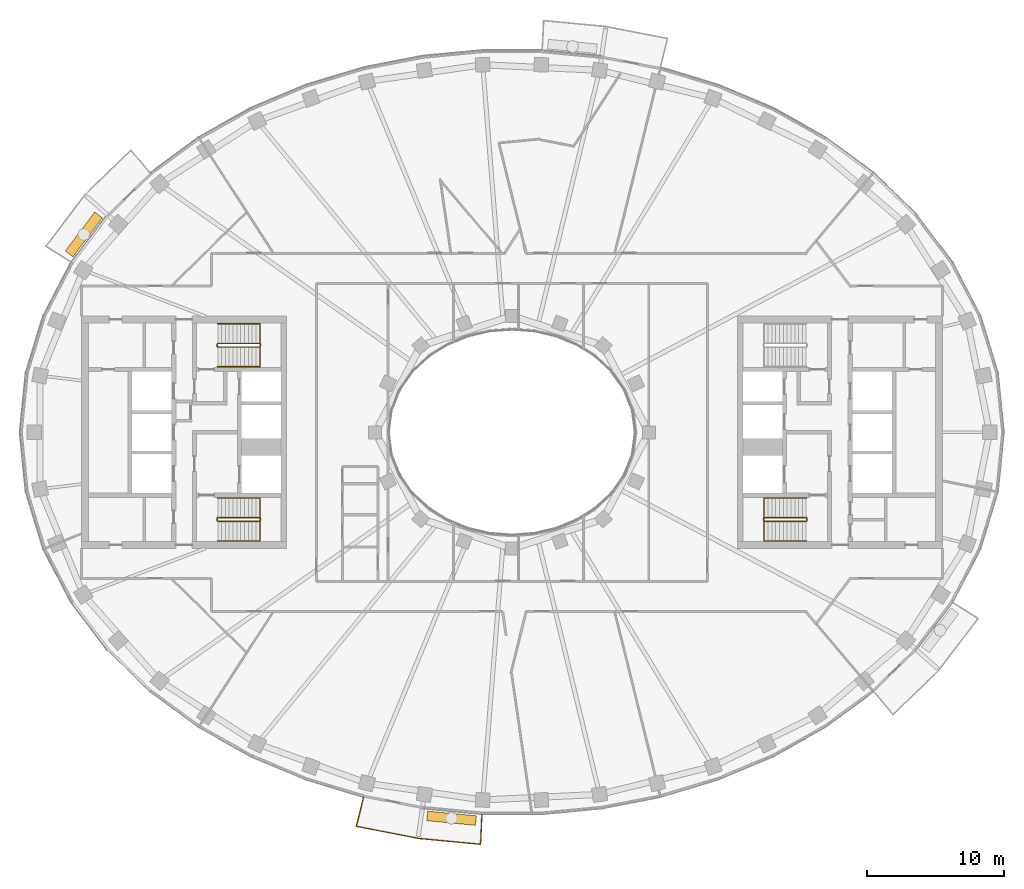
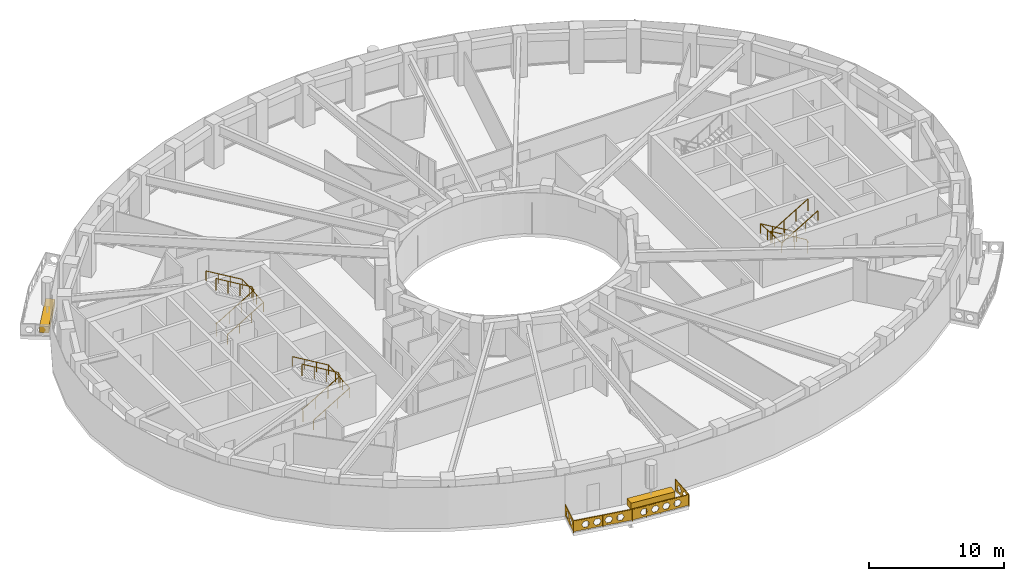
# One storey, part 14 of 16: 7 railings, 2 coverings.
"""IFC4 building model written with IfcOpenShell, lengths in metres."""

import ifcopenshell
import ifcopenshell.guid

model = None  # the IFC model being written
_history = None  # IfcOwnerHistory: only IFC2X3 demands one
_inside = {}  # id of a spatial element -> (the spatial element, [elements in it])
_under = {}  # id of a project, library or spatial element -> (it, [spatial elements below it])
_declared = {}  # id of a project -> (the project, [libraries it declares])
_typed = {}  # id of a type object -> (the type object, [elements of that type])
_made_of = {}  # id of a material, layer set ... -> (it, [elements and type objects made of it])


def new_model(schema):
    """Start an empty IFC model of exactly this schema.

    Asked for "IFC4X3", IfcOpenShell would pick the latest addendum, in which some entities
    have other attributes; the version numbers below select the first issue.
    IFC2X3 requires an IfcOwnerHistory on every rooted entity: one is made here for all.
    """
    global model, _history
    if schema == "IFC4X3":
        model = ifcopenshell.file(schema_version=(4, 3, 0, 0))
    else:
        model = ifcopenshell.file(schema=schema)
    _inside.clear()
    _under.clear()
    _declared.clear()
    _typed.clear()
    _made_of.clear()
    _history = None
    if model.schema == "IFC2X3":
        org = make("IfcOrganization", Name="unknown")
        user = make(
            "IfcPersonAndOrganization",
            ThePerson=make("IfcPerson", FamilyName="unknown"),
            TheOrganization=org,
        )
        app = make(
            "IfcApplication",
            ApplicationDeveloper=org,
            Version="unknown",
            ApplicationFullName="unknown",
            ApplicationIdentifier="unknown",
        )
        _history = make(
            "IfcOwnerHistory",
            OwningUser=user,
            OwningApplication=app,
            ChangeAction="ADDED",
            CreationDate=0,
        )
    return model


def make(cls, **values):
    """One entity of the class cls with the attributes given. An attribute that is None is left unset."""
    return model.create_entity(
        cls, **{name: value for name, value in values.items() if value is not None}
    )


def rooted(cls, **values):
    """An entity with a GlobalId (a new one), such as an element, a storey or a relation."""
    return make(cls, GlobalId=ifcopenshell.guid.new(), OwnerHistory=_history, **values)


def si_unit(unit_type, name, prefix=None):
    """IfcSIUnit, for example si_unit("LENGTHUNIT", "METRE", prefix="MILLI")."""
    return make("IfcSIUnit", UnitType=unit_type, Prefix=prefix, Name=name)


def assignment(units):
    """IfcUnitAssignment: the units of a project."""
    return None if units is None else make("IfcUnitAssignment", Units=units)


def point(xyz):
    """IfcCartesianPoint."""
    return None if xyz is None else make("IfcCartesianPoint", Coordinates=xyz)


def direction(xyz):
    """IfcDirection."""
    return None if xyz is None else make("IfcDirection", DirectionRatios=xyz)


def frame(location, z_axis=None, x_axis=None):
    """IfcAxis2Placement3D, a coordinate frame: its origin and axes. An axis left out is left unset."""
    return make(
        "IfcAxis2Placement3D",
        Location=point(location),
        Axis=direction(z_axis),
        RefDirection=direction(x_axis),
    )


def frame_2d(location, x_axis=None):
    """IfcAxis2Placement2D, a coordinate frame in the plane: its origin and x axis."""
    return make(
        "IfcAxis2Placement2D", Location=point(location), RefDirection=direction(x_axis)
    )


def origin():
    """The frame at (0, 0, 0) with its axes left unset."""
    return frame((0.0, 0.0, 0.0))


def origin_2d():
    """The frame at (0, 0) in the plane with its x axis left unset."""
    return frame_2d((0.0, 0.0))


def place(relative_to, where):
    """IfcLocalPlacement: puts the frame where relative to a parent placement (None: the world)."""
    return make(
        "IfcLocalPlacement", PlacementRelTo=relative_to, RelativePlacement=where
    )


def context(
    kind, dimensions, precision=None, world=None, true_north=None, identifier=None
):
    """IfcGeometricRepresentationContext, for example the 3D "Model" context."""
    return make(
        "IfcGeometricRepresentationContext",
        ContextIdentifier=identifier,
        ContextType=kind,
        CoordinateSpaceDimension=dimensions,
        Precision=precision,
        WorldCoordinateSystem=world,
        TrueNorth=true_north,
    )


def subcontext(parent, identifier, kind, view, scale=None):
    """IfcGeometricRepresentationSubContext, for example "Body" below "Model"."""
    return make(
        "IfcGeometricRepresentationSubContext",
        ContextIdentifier=identifier,
        ContextType=kind,
        ParentContext=parent,
        TargetScale=scale,
        TargetView=view,
    )


def project(units=None, contexts=None):
    """IfcProject with its units and contexts."""
    return rooted(
        "IfcProject",
        Name="project",
        RepresentationContexts=contexts,
        UnitsInContext=assignment(units),
    )


def spatial(cls, under=None, at=None, **own):
    """A site, building, storey or space (cls), placed at a placement, below another one or the project."""
    s = rooted(cls, ObjectPlacement=at, **own)
    if under is not None:
        _under.setdefault(under.id(), (under, []))[1].append(s)
    return s


def polyline(points):
    """IfcPolyline through the points."""
    return make("IfcPolyline", Points=[point(p) for p in points])


def profile(cls, at=None, kind="AREA", **sizes):
    """A parametric profile (cls). Its sizes go by their IFC names, for example OverallWidth=200.0."""
    return make(cls, ProfileType=kind, Position=at, **sizes)


def rectangle(**sizes):
    """IfcRectangleProfileDef."""
    return profile("IfcRectangleProfileDef", **sizes)


def outline(outer, holes=None, kind="AREA"):
    """IfcArbitraryClosedProfileDef: a profile drawn as a closed curve; with holes, ...WithVoids."""
    if holes is None:
        return make("IfcArbitraryClosedProfileDef", ProfileType=kind, OuterCurve=outer)
    return make(
        "IfcArbitraryProfileDefWithVoids",
        ProfileType=kind,
        OuterCurve=outer,
        InnerCurves=holes,
    )


def extrude(swept, where, along, depth):
    """IfcExtrudedAreaSolid: the profile swept, set in the frame where, extruded along a direction by depth."""
    return make(
        "IfcExtrudedAreaSolid",
        SweptArea=swept,
        Position=where,
        ExtrudedDirection=direction(along),
        Depth=depth,
    )


def shape(context_of_items, identifier, shape_type, items):
    """IfcShapeRepresentation: the items that make up one representation, for example the "Body"."""
    return make(
        "IfcShapeRepresentation",
        ContextOfItems=context_of_items,
        RepresentationIdentifier=identifier,
        RepresentationType=shape_type,
        Items=items,
    )


def material(Name=None, Category=None):
    """IfcMaterial."""
    return make("IfcMaterial", Name=Name, Category=Category)


def made_of(thing, what):
    """Note that an element or type object is made of a material, layer set ...; save() writes the relation."""
    if what is not None:
        _made_of.setdefault(what.id(), (what, []))[1].append(thing)
    return thing


def type_object(cls, material=None, **own):
    """A type object (cls), such as IfcWallType, which elements share."""
    return made_of(rooted(cls, **own), material)


def element(
    cls,
    number,
    at=None,
    inside=None,
    cuts=None,
    type_object=None,
    material=None,
    context=None,
    identifier="Body",
    shape_type=None,
    held_by="IfcProductDefinitionShape",
    body=None,
    shapes=None,
    **own,
):
    """One element of the class cls, such as IfcWall. Its Tag is "e" and its number.

    at: its placement. inside: the storey or other place that contains it. cuts: it is an
    opening in that element (IfcRelVoidsElement). A single representation is given by context,
    identifier, shape_type and body (its items); several are given by shapes. held_by: the class
    of the entity that holds the representations. save() writes the other relations.
    """
    e = rooted(cls, Tag="e%d" % number, ObjectPlacement=at, **own)
    if body is not None:
        shapes = [shape(context, identifier, shape_type, body)]
    if shapes is not None:
        e.Representation = make(held_by, Representations=shapes)
    if inside is not None:
        _inside.setdefault(inside.id(), (inside, []))[1].append(e)
    if cuts is not None:
        rooted(
            "IfcRelVoidsElement", RelatingBuildingElement=cuts, RelatedOpeningElement=e
        )
    if type_object is not None:
        _typed.setdefault(type_object.id(), (type_object, []))[1].append(e)
    return made_of(e, material)


def aggregate(whole, parts):
    """IfcRelAggregates: a whole, such as a stair, and the parts it consists of."""
    return rooted("IfcRelAggregates", RelatingObject=whole, RelatedObjects=parts)


def save(model, path):
    """Write the relations noted so far, then the file.

    IfcRelAggregates (storeys below a building ...), IfcRelContainedInSpatialStructure (elements
    in a storey), IfcRelDefinesByType, IfcRelAssociatesMaterial and IfcRelDeclares: one each for
    every whole, place, type object, material and project.
    """
    for whole, parts in _under.values():
        aggregate(whole, parts)
    for where, things in _inside.values():
        rooted(
            "IfcRelContainedInSpatialStructure",
            RelatedElements=things,
            RelatingStructure=where,
        )
    for kind, things in _typed.values():
        rooted("IfcRelDefinesByType", RelatedObjects=things, RelatingType=kind)
    for what, things in _made_of.values():
        rooted("IfcRelAssociatesMaterial", RelatedObjects=things, RelatingMaterial=what)
    for by, libraries in _declared.values():
        rooted("IfcRelDeclares", RelatingContext=by, RelatedDefinitions=libraries)
    model.write(path)


model = new_model("IFC4")

# Units and contexts
model_context = context("Model", 3, precision=1e-05, world=origin(), true_north=direction((0.0, 1.0)))
body_context = subcontext(model_context, "Body", "Model", "MODEL_VIEW")
ifc_project = project(units=[si_unit("LENGTHUNIT", "METRE"), si_unit("AREAUNIT", "SQUARE_METRE"), si_unit("VOLUMEUNIT", "CUBIC_METRE"), si_unit("PLANEANGLEUNIT", "RADIAN"), si_unit("MASSUNIT", "GRAM", prefix="KILO")], contexts=[model_context])

# Site, building, storey
site_placement = place(None, origin())
site = spatial("IfcSite", under=ifc_project, at=site_placement, CompositionType="ELEMENT")
building_placement = place(site_placement, origin())
building = spatial("IfcBuilding", under=site, at=building_placement, Name="Noorbagh Ring Tower", CompositionType="ELEMENT")
storey_placement = place(building_placement, frame((0.0, 0.0, 261.5)))
storey = spatial("IfcBuildingStorey", under=building, at=storey_placement, Name="L55", CompositionType="ELEMENT", Elevation=261.5)

# Railings
ifc_material_1 = material(Name="Stainless steel", Category="steel")
railing_type_1 = type_object("IfcRailingType", Name="CORE-STAIR-GUARD", PredefinedType="GUARDRAIL", material=ifc_material_1)
railing_1_placement = place(storey_placement, frame((-21.580078125, 6.300048828125, 0.0)))
element("IfcRailing", 1, at=railing_1_placement, inside=storey, type_object=railing_type_1, Name="L55 ST1 stair guard", PredefinedType="GUARDRAIL", context=body_context, shape_type="SweptSolid", body=[
    extrude(rectangle(XDim=0.048095703125, YDim=0.048095703125, at=origin_2d()), frame((0.0, 0.0, 1.076171875), z_axis=(0.0, 1.0, 0.0), x_axis=(-1.0, 0.0, 0.0)), (0.0, 0.0, 1.0), 0.14990234375),
    extrude(rectangle(XDim=0.048095703125, YDim=0.048095703125, at=origin_2d()), frame((0.0, 0.14990234375, 1.076171875), z_axis=(0.188775798145, -0.754182335027, 0.628945707965), x_axis=(0.970072785993, 0.242814311512, 0.0)), (0.0, 0.0, 1.0), 0.26513671875),
    extrude(rectangle(XDim=0.048095703125, YDim=0.048095703125, at=origin_2d()), frame((0.050048828125, -0.050048828125, 1.24267578125), z_axis=(0.859308565015, 0.0, 0.511457515432), x_axis=(0.0, 1.0, 0.0)), (0.0, 0.0, 1.0), 3.58447265625),
    extrude(rectangle(XDim=0.048095703125, YDim=0.048095703125, at=origin_2d()), frame((3.130126953125, -0.050048828125, 3.076171875), z_axis=(0.707106781187, 0.707106781187, 0.0), x_axis=(-0.707106781187, 0.707106781187, 0.0)), (0.0, 0.0, 1.0), 0.07080078125),
    extrude(rectangle(XDim=0.048095703125, YDim=0.048095703125, at=origin_2d()), frame((3.18017578125, 0.0, 3.076171875), z_axis=(0.0, 1.0, 0.0), x_axis=(-1.0, 0.0, 0.0)), (0.0, 0.0, 1.0), 0.14990234375),
    extrude(rectangle(XDim=0.048095703125, YDim=0.048095703125, at=origin_2d()), frame((3.18017578125, 0.14990234375, 3.076171875), z_axis=(-0.27628659633, 0.27628659633, 0.920506074601), x_axis=(-0.707106781187, -0.707106781187, 0.0)), (0.0, 0.0, 1.0), 0.18115234375),
    extrude(rectangle(XDim=0.048095703125, YDim=0.048095703125, at=origin_2d()), frame((3.130126953125, 0.199951171875, 3.24267578125), z_axis=(-0.859308565015, 0.0, 0.511457515432), x_axis=(0.0, -1.0, 0.0)), (0.0, 0.0, 1.0), 3.58447265625),
    extrude(rectangle(XDim=0.0419921875, YDim=0.0419921875, at=origin_2d()), origin(), (0.0, 0.0, 1.0), 1.052001953125),
    extrude(rectangle(XDim=0.0419921875, YDim=0.0419921875, at=origin_2d()), frame((1.07666015625, -0.050048828125, 0.77783203125)), (0.0, 0.0, 1.0), 1.052001953125),
    extrude(rectangle(XDim=0.0419921875, YDim=0.0419921875, at=origin_2d()), frame((2.103515625, -0.050048828125, 1.388916015625)), (0.0, 0.0, 1.0), 1.052001953125),
    extrude(rectangle(XDim=0.0419921875, YDim=0.0419921875, at=origin_2d()), frame((3.130126953125, -0.050048828125, 2.0)), (0.0, 0.0, 1.0), 1.052001953125),
    extrude(rectangle(XDim=0.0419921875, YDim=0.0419921875, at=origin_2d()), frame((3.130126953125, 0.199951171875, 2.166748046875)), (0.0, 0.0, 1.0), 1.052001953125),
    extrude(rectangle(XDim=0.0419921875, YDim=0.0419921875, at=origin_2d()), frame((2.103515625, 0.199951171875, 2.77783203125)), (0.0, 0.0, 1.0), 1.052001953125),
    extrude(rectangle(XDim=0.0419921875, YDim=0.0419921875, at=origin_2d()), frame((1.07666015625, 0.199951171875, 3.388916015625)), (0.0, 0.0, 1.0), 1.052001953125),
    extrude(rectangle(XDim=0.0419921875, YDim=0.0419921875, at=origin_2d()), frame((0.050048828125, 0.199951171875, 4.0)), (0.0, 0.0, 1.0), 1.052001953125),
])
railing_2_placement = place(storey_placement, frame((-21.580078125, -6.449951171875, 0.0)))
element("IfcRailing", 2, at=railing_2_placement, inside=storey, type_object=railing_type_1, Name="L55 ST2 stair guard", PredefinedType="GUARDRAIL", context=body_context, shape_type="SweptSolid", body=[
    extrude(rectangle(XDim=0.048095703125, YDim=0.048095703125, at=origin_2d()), frame((0.0, 0.0, 1.076171875), z_axis=(0.0, 1.0, 0.0), x_axis=(-1.0, 0.0, 0.0)), (0.0, 0.0, 1.0), 0.14990234375),
    extrude(rectangle(XDim=0.048095703125, YDim=0.048095703125, at=origin_2d()), frame((0.0, 0.14990234375, 1.076171875), z_axis=(0.188775798145, -0.754182335027, 0.628945707965), x_axis=(0.970072785993, 0.242814311512, 0.0)), (0.0, 0.0, 1.0), 0.26513671875),
    extrude(rectangle(XDim=0.048095703125, YDim=0.048095703125, at=origin_2d()), frame((0.050048828125, -0.050048828125, 1.24267578125), z_axis=(0.859308565015, 0.0, 0.511457515432), x_axis=(0.0, 1.0, 0.0)), (0.0, 0.0, 1.0), 3.58447265625),
    extrude(rectangle(XDim=0.048095703125, YDim=0.048095703125, at=origin_2d()), frame((3.130126953125, -0.050048828125, 3.076171875), z_axis=(0.707106781187, 0.707106781187, 0.0), x_axis=(-0.707106781187, 0.707106781187, 0.0)), (0.0, 0.0, 1.0), 0.07080078125),
    extrude(rectangle(XDim=0.048095703125, YDim=0.048095703125, at=origin_2d()), frame((3.18017578125, 0.0, 3.076171875), z_axis=(0.0, 1.0, 0.0), x_axis=(-1.0, 0.0, 0.0)), (0.0, 0.0, 1.0), 0.14990234375),
    extrude(rectangle(XDim=0.048095703125, YDim=0.048095703125, at=origin_2d()), frame((3.18017578125, 0.14990234375, 3.076171875), z_axis=(-0.27628659633, 0.27628659633, 0.920506074601), x_axis=(-0.707106781187, -0.707106781187, 0.0)), (0.0, 0.0, 1.0), 0.18115234375),
    extrude(rectangle(XDim=0.048095703125, YDim=0.048095703125, at=origin_2d()), frame((3.130126953125, 0.199951171875, 3.24267578125), z_axis=(-0.859308565015, 0.0, 0.511457515432), x_axis=(0.0, -1.0, 0.0)), (0.0, 0.0, 1.0), 3.58447265625),
    extrude(rectangle(XDim=0.0419921875, YDim=0.0419921875, at=origin_2d()), origin(), (0.0, 0.0, 1.0), 1.052001953125),
    extrude(rectangle(XDim=0.0419921875, YDim=0.0419921875, at=origin_2d()), frame((1.07666015625, -0.050048828125, 0.77783203125)), (0.0, 0.0, 1.0), 1.052001953125),
    extrude(rectangle(XDim=0.0419921875, YDim=0.0419921875, at=origin_2d()), frame((2.103515625, -0.050048828125, 1.388916015625)), (0.0, 0.0, 1.0), 1.052001953125),
    extrude(rectangle(XDim=0.0419921875, YDim=0.0419921875, at=origin_2d()), frame((3.130126953125, -0.050048828125, 2.0)), (0.0, 0.0, 1.0), 1.052001953125),
    extrude(rectangle(XDim=0.0419921875, YDim=0.0419921875, at=origin_2d()), frame((3.130126953125, 0.199951171875, 2.166748046875)), (0.0, 0.0, 1.0), 1.052001953125),
    extrude(rectangle(XDim=0.0419921875, YDim=0.0419921875, at=origin_2d()), frame((2.103515625, 0.199951171875, 2.77783203125)), (0.0, 0.0, 1.0), 1.052001953125),
    extrude(rectangle(XDim=0.0419921875, YDim=0.0419921875, at=origin_2d()), frame((1.07666015625, 0.199951171875, 3.388916015625)), (0.0, 0.0, 1.0), 1.052001953125),
    extrude(rectangle(XDim=0.0419921875, YDim=0.0419921875, at=origin_2d()), frame((0.050048828125, 0.199951171875, 4.0)), (0.0, 0.0, 1.0), 1.052001953125),
])
railing_3_placement = place(storey_placement, frame((21.580078125, -6.300048828125, 0.0)))
element("IfcRailing", 3, at=railing_3_placement, inside=storey, type_object=railing_type_1, Name="L55 ST4 stair guard", PredefinedType="GUARDRAIL", context=body_context, shape_type="SweptSolid", body=[
    extrude(rectangle(XDim=0.048095703125, YDim=0.048095703125, at=origin_2d()), frame((0.0, 0.0, 1.076171875), z_axis=(0.0, -1.0, 0.0), x_axis=(1.0, 0.0, 0.0)), (0.0, 0.0, 1.0), 0.14990234375),
    extrude(rectangle(XDim=0.048095703125, YDim=0.048095703125, at=origin_2d()), frame((0.0, -0.14990234375, 1.076171875), z_axis=(-0.188775798145, 0.754182335027, 0.628945707965), x_axis=(-0.970072785993, -0.242814311512, 0.0)), (0.0, 0.0, 1.0), 0.26513671875),
    extrude(rectangle(XDim=0.048095703125, YDim=0.048095703125, at=origin_2d()), frame((-0.050048828125, 0.050048828125, 1.24267578125), z_axis=(-0.859308565015, 0.0, 0.511457515432), x_axis=(0.0, -1.0, 0.0)), (0.0, 0.0, 1.0), 3.58447265625),
    extrude(rectangle(XDim=0.048095703125, YDim=0.048095703125, at=origin_2d()), frame((-3.130126953125, 0.050048828125, 3.076171875), z_axis=(-0.707106781187, -0.707106781187, 0.0), x_axis=(0.707106781187, -0.707106781187, 0.0)), (0.0, 0.0, 1.0), 0.07080078125),
    extrude(rectangle(XDim=0.048095703125, YDim=0.048095703125, at=origin_2d()), frame((-3.18017578125, 0.0, 3.076171875), z_axis=(0.0, -1.0, 0.0), x_axis=(1.0, 0.0, 0.0)), (0.0, 0.0, 1.0), 0.14990234375),
    extrude(rectangle(XDim=0.048095703125, YDim=0.048095703125, at=origin_2d()), frame((-3.18017578125, -0.14990234375, 3.076171875), z_axis=(0.27628659633, -0.27628659633, 0.920506074601), x_axis=(0.707106781187, 0.707106781187, 0.0)), (0.0, 0.0, 1.0), 0.18115234375),
    extrude(rectangle(XDim=0.048095703125, YDim=0.048095703125, at=origin_2d()), frame((-3.130126953125, -0.199951171875, 3.24267578125), z_axis=(0.859308565015, 0.0, 0.511457515432), x_axis=(0.0, 1.0, 0.0)), (0.0, 0.0, 1.0), 3.58447265625),
    extrude(rectangle(XDim=0.0419921875, YDim=0.0419921875, at=origin_2d()), origin(), (0.0, 0.0, 1.0), 1.052001953125),
    extrude(rectangle(XDim=0.0419921875, YDim=0.0419921875, at=origin_2d()), frame((-1.07666015625, 0.050048828125, 0.77783203125)), (0.0, 0.0, 1.0), 1.052001953125),
    extrude(rectangle(XDim=0.0419921875, YDim=0.0419921875, at=origin_2d()), frame((-2.103515625, 0.050048828125, 1.388916015625)), (0.0, 0.0, 1.0), 1.052001953125),
    extrude(rectangle(XDim=0.0419921875, YDim=0.0419921875, at=origin_2d()), frame((-3.130126953125, 0.050048828125, 2.0)), (0.0, 0.0, 1.0), 1.052001953125),
    extrude(rectangle(XDim=0.0419921875, YDim=0.0419921875, at=origin_2d()), frame((-3.130126953125, -0.199951171875, 2.166748046875)), (0.0, 0.0, 1.0), 1.052001953125),
    extrude(rectangle(XDim=0.0419921875, YDim=0.0419921875, at=origin_2d()), frame((-2.103515625, -0.199951171875, 2.77783203125)), (0.0, 0.0, 1.0), 1.052001953125),
    extrude(rectangle(XDim=0.0419921875, YDim=0.0419921875, at=origin_2d()), frame((-1.07666015625, -0.199951171875, 3.388916015625)), (0.0, 0.0, 1.0), 1.052001953125),
    extrude(rectangle(XDim=0.0419921875, YDim=0.0419921875, at=origin_2d()), frame((-0.050048828125, -0.199951171875, 4.0)), (0.0, 0.0, 1.0), 1.052001953125),
])
ifc_material_2 = material(Name="Stainless steel", Category="steel")
railing_type_2 = type_object("IfcRailingType", Name="CORE-STAIR-HANDRAIL", PredefinedType="HANDRAIL", material=ifc_material_2)
railing_4_placement = place(storey_placement, frame((-21.530029296875, 4.800048828125, 0.166748046875)))
element("IfcRailing", 4, at=railing_4_placement, inside=storey, type_object=railing_type_2, Name="L55 ST1 stair handrail", PredefinedType="HANDRAIL", context=body_context, shape_type="SweptSolid", body=[
    extrude(rectangle(XDim=0.048095703125, YDim=0.048095703125, at=origin_2d()), frame((0.0, 0.0, 0.8759765625), z_axis=(0.859308565015, 0.0, 0.511457515432), x_axis=(0.0, 1.0, 0.0)), (0.0, 0.0, 1.0), 3.58447265625),
    extrude(rectangle(XDim=0.048095703125, YDim=0.048095703125, at=origin_2d()), frame((3.080078125, 0.0, 2.708984375), z_axis=(0.0, 0.998601747152, 0.052863509014), x_axis=(-1.0, 0.0, 0.0)), (0.0, 0.0, 1.0), 3.154296875),
    extrude(rectangle(XDim=0.048095703125, YDim=0.048095703125, at=origin_2d()), frame((3.080078125, 3.14990234375, 2.8759765625), z_axis=(-0.859308565015, 0.0, 0.511457515432), x_axis=(0.0, -1.0, 0.0)), (0.0, 0.0, 1.0), 3.58447265625),
    extrude(rectangle(XDim=0.0419921875, YDim=0.0419921875, at=origin_2d()), origin(), (0.0, 0.0, 1.0), 0.851806640625),
    extrude(rectangle(XDim=0.0419921875, YDim=0.0419921875, at=origin_2d()), frame((1.026611328125, 0.0, 0.611083984375)), (0.0, 0.0, 1.0), 0.851806640625),
    extrude(rectangle(XDim=0.0419921875, YDim=0.0419921875, at=origin_2d()), frame((2.053466796875, 0.0, 1.22216796875)), (0.0, 0.0, 1.0), 0.851806640625),
    extrude(rectangle(XDim=0.0419921875, YDim=0.0419921875, at=origin_2d()), frame((3.080078125, 0.0, 1.833251953125)), (0.0, 0.0, 1.0), 0.851806640625),
    extrude(rectangle(XDim=0.0419921875, YDim=0.0419921875, at=origin_2d()), frame((3.080078125, 1.050048828125, 1.888916015625)), (0.0, 0.0, 1.0), 0.851806640625),
    extrude(rectangle(XDim=0.0419921875, YDim=0.0419921875, at=origin_2d()), frame((3.080078125, 2.099853515625, 1.9443359375)), (0.0, 0.0, 1.0), 0.851806640625),
    extrude(rectangle(XDim=0.0419921875, YDim=0.0419921875, at=origin_2d()), frame((3.080078125, 3.14990234375, 2.0)), (0.0, 0.0, 1.0), 0.851806640625),
    extrude(rectangle(XDim=0.0419921875, YDim=0.0419921875, at=origin_2d()), frame((2.053466796875, 3.14990234375, 2.611083984375)), (0.0, 0.0, 1.0), 0.851806640625),
    extrude(rectangle(XDim=0.0419921875, YDim=0.0419921875, at=origin_2d()), frame((1.026611328125, 3.14990234375, 3.22216796875)), (0.0, 0.0, 1.0), 0.851806640625),
    extrude(rectangle(XDim=0.0419921875, YDim=0.0419921875, at=origin_2d()), frame((0.0, 3.14990234375, 3.833251953125)), (0.0, 0.0, 1.0), 0.851806640625),
])
railing_5_placement = place(storey_placement, frame((-21.530029296875, -7.949951171875, 0.166748046875)))
element("IfcRailing", 5, at=railing_5_placement, inside=storey, type_object=railing_type_2, Name="L55 ST2 stair handrail", PredefinedType="HANDRAIL", context=body_context, shape_type="SweptSolid", body=[
    extrude(rectangle(XDim=0.048095703125, YDim=0.048095703125, at=origin_2d()), frame((0.0, 0.0, 0.8759765625), z_axis=(0.859308565015, 0.0, 0.511457515432), x_axis=(0.0, 1.0, 0.0)), (0.0, 0.0, 1.0), 3.58447265625),
    extrude(rectangle(XDim=0.048095703125, YDim=0.048095703125, at=origin_2d()), frame((3.080078125, 0.0, 2.708984375), z_axis=(0.0, 0.998601747152, 0.052863509014), x_axis=(-1.0, 0.0, 0.0)), (0.0, 0.0, 1.0), 3.154296875),
    extrude(rectangle(XDim=0.048095703125, YDim=0.048095703125, at=origin_2d()), frame((3.080078125, 3.14990234375, 2.8759765625), z_axis=(-0.859308565015, 0.0, 0.511457515432), x_axis=(0.0, -1.0, 0.0)), (0.0, 0.0, 1.0), 3.58447265625),
    extrude(rectangle(XDim=0.0419921875, YDim=0.0419921875, at=origin_2d()), origin(), (0.0, 0.0, 1.0), 0.851806640625),
    extrude(rectangle(XDim=0.0419921875, YDim=0.0419921875, at=origin_2d()), frame((1.026611328125, 0.0, 0.611083984375)), (0.0, 0.0, 1.0), 0.851806640625),
    extrude(rectangle(XDim=0.0419921875, YDim=0.0419921875, at=origin_2d()), frame((2.053466796875, 0.0, 1.22216796875)), (0.0, 0.0, 1.0), 0.851806640625),
    extrude(rectangle(XDim=0.0419921875, YDim=0.0419921875, at=origin_2d()), frame((3.080078125, 0.0, 1.833251953125)), (0.0, 0.0, 1.0), 0.851806640625),
    extrude(rectangle(XDim=0.0419921875, YDim=0.0419921875, at=origin_2d()), frame((3.080078125, 1.050048828125, 1.888916015625)), (0.0, 0.0, 1.0), 0.851806640625),
    extrude(rectangle(XDim=0.0419921875, YDim=0.0419921875, at=origin_2d()), frame((3.080078125, 2.099853515625, 1.9443359375)), (0.0, 0.0, 1.0), 0.851806640625),
    extrude(rectangle(XDim=0.0419921875, YDim=0.0419921875, at=origin_2d()), frame((3.080078125, 3.14990234375, 2.0)), (0.0, 0.0, 1.0), 0.851806640625),
    extrude(rectangle(XDim=0.0419921875, YDim=0.0419921875, at=origin_2d()), frame((2.053466796875, 3.14990234375, 2.611083984375)), (0.0, 0.0, 1.0), 0.851806640625),
    extrude(rectangle(XDim=0.0419921875, YDim=0.0419921875, at=origin_2d()), frame((1.026611328125, 3.14990234375, 3.22216796875)), (0.0, 0.0, 1.0), 0.851806640625),
    extrude(rectangle(XDim=0.0419921875, YDim=0.0419921875, at=origin_2d()), frame((0.0, 3.14990234375, 3.833251953125)), (0.0, 0.0, 1.0), 0.851806640625),
])
railing_6_placement = place(storey_placement, frame((21.530029296875, -4.800048828125, 0.166748046875)))
element("IfcRailing", 6, at=railing_6_placement, inside=storey, type_object=railing_type_2, Name="L55 ST4 stair handrail", PredefinedType="HANDRAIL", context=body_context, shape_type="SweptSolid", body=[
    extrude(rectangle(XDim=0.048095703125, YDim=0.048095703125, at=origin_2d()), frame((0.0, 0.0, 0.8759765625), z_axis=(-0.859308565015, 0.0, 0.511457515432), x_axis=(0.0, -1.0, 0.0)), (0.0, 0.0, 1.0), 3.58447265625),
    extrude(rectangle(XDim=0.048095703125, YDim=0.048095703125, at=origin_2d()), frame((-3.080078125, 0.0, 2.708984375), z_axis=(0.0, -0.998601747152, 0.052863509014), x_axis=(1.0, 0.0, 0.0)), (0.0, 0.0, 1.0), 3.154296875),
    extrude(rectangle(XDim=0.048095703125, YDim=0.048095703125, at=origin_2d()), frame((-3.080078125, -3.14990234375, 2.8759765625), z_axis=(0.859308565015, 0.0, 0.511457515432), x_axis=(0.0, 1.0, 0.0)), (0.0, 0.0, 1.0), 3.58447265625),
    extrude(rectangle(XDim=0.0419921875, YDim=0.0419921875, at=origin_2d()), origin(), (0.0, 0.0, 1.0), 0.851806640625),
    extrude(rectangle(XDim=0.0419921875, YDim=0.0419921875, at=origin_2d()), frame((-1.026611328125, 0.0, 0.611083984375)), (0.0, 0.0, 1.0), 0.851806640625),
    extrude(rectangle(XDim=0.0419921875, YDim=0.0419921875, at=origin_2d()), frame((-2.053466796875, 0.0, 1.22216796875)), (0.0, 0.0, 1.0), 0.851806640625),
    extrude(rectangle(XDim=0.0419921875, YDim=0.0419921875, at=origin_2d()), frame((-3.080078125, 0.0, 1.833251953125)), (0.0, 0.0, 1.0), 0.851806640625),
    extrude(rectangle(XDim=0.0419921875, YDim=0.0419921875, at=origin_2d()), frame((-3.080078125, -1.050048828125, 1.888916015625)), (0.0, 0.0, 1.0), 0.851806640625),
    extrude(rectangle(XDim=0.0419921875, YDim=0.0419921875, at=origin_2d()), frame((-3.080078125, -2.099853515625, 1.9443359375)), (0.0, 0.0, 1.0), 0.851806640625),
    extrude(rectangle(XDim=0.0419921875, YDim=0.0419921875, at=origin_2d()), frame((-3.080078125, -3.14990234375, 2.0)), (0.0, 0.0, 1.0), 0.851806640625),
    extrude(rectangle(XDim=0.0419921875, YDim=0.0419921875, at=origin_2d()), frame((-2.053466796875, -3.14990234375, 2.611083984375)), (0.0, 0.0, 1.0), 0.851806640625),
    extrude(rectangle(XDim=0.0419921875, YDim=0.0419921875, at=origin_2d()), frame((-1.026611328125, -3.14990234375, 3.22216796875)), (0.0, 0.0, 1.0), 0.851806640625),
    extrude(rectangle(XDim=0.0419921875, YDim=0.0419921875, at=origin_2d()), frame((0.0, -3.14990234375, 3.833251953125)), (0.0, 0.0, 1.0), 0.851806640625),
])
ifc_material_3 = material(Name="Steel S275 black powder-coated", Category="steel")
railing_type_3 = type_object("IfcRailingType", Name="ENV-GUARD", PredefinedType="GUARDRAIL", material=ifc_material_3)
railing_7_placement = place(storey_placement, frame((-10.865234375, -26.6943359375, 0.0)))
element("IfcRailing", 7, at=railing_7_placement, inside=storey, type_object=railing_type_3, Name="Balcony guard BS03", PredefinedType="GUARDRAIL", context=body_context, shape_type="SweptSolid", body=[
    extrude(rectangle(XDim=0.048095703125, YDim=0.048095703125, at=origin_2d()), frame((0.0, 0.0, 1.076171875), z_axis=(-0.239848558412, -0.970810315679, 0.0), x_axis=(0.970810315679, -0.239848558412, 0.0)), (0.0, 0.0, 1.0), 2.20263671875),
    extrude(rectangle(XDim=0.048095703125, YDim=0.048095703125, at=origin_2d()), frame((-0.5283203125, -2.138427734375, 1.076171875), z_axis=(0.981625049064, -0.1908199755, 0.0), x_axis=(0.1908199755, 0.981625049064, 0.0)), (0.0, 0.0, 1.0), 4.603271484375),
    extrude(rectangle(XDim=0.048095703125, YDim=0.048095703125, at=origin_2d()), frame((3.990478515625, -3.016845703125, 1.076171875), z_axis=(0.995477555764, -0.094997031379, 0.0), x_axis=(0.094997031379, 0.995477555764, 0.0)), (0.0, 0.0, 1.0), 4.59765625),
    extrude(rectangle(XDim=0.048095703125, YDim=0.048095703125, at=origin_2d()), frame((8.5673828125, -3.45361328125, 1.076171875), z_axis=(0.047554616162, 0.998868639252, 0.0), x_axis=(-0.998868639252, 0.047554616162, 0.0)), (0.0, 0.0, 1.0), 2.202392578125),
    extrude(rectangle(XDim=0.0419921875, YDim=0.0419921875, at=origin_2d()), origin(), (0.0, 0.0, 1.0), 1.052001953125),
    extrude(rectangle(XDim=0.0419921875, YDim=0.0419921875, at=origin_2d()), frame((-0.26416015625, -1.0693359375, 0.0)), (0.0, 0.0, 1.0), 1.052001953125),
    extrude(rectangle(XDim=0.0419921875, YDim=0.0419921875, at=origin_2d()), frame((-0.5283203125, -2.138427734375, 0.0)), (0.0, 0.0, 1.0), 1.052001953125),
    extrude(rectangle(XDim=0.0419921875, YDim=0.0419921875, at=origin_2d()), frame((0.601318359375, -2.35791015625, 0.0)), (0.0, 0.0, 1.0), 1.052001953125),
    extrude(rectangle(XDim=0.0419921875, YDim=0.0419921875, at=origin_2d()), frame((1.73095703125, -2.57763671875, 0.0)), (0.0, 0.0, 1.0), 1.052001953125),
    extrude(rectangle(XDim=0.0419921875, YDim=0.0419921875, at=origin_2d()), frame((2.86083984375, -2.79736328125, 0.0)), (0.0, 0.0, 1.0), 1.052001953125),
    extrude(rectangle(XDim=0.0419921875, YDim=0.0419921875, at=origin_2d()), frame((3.990478515625, -3.016845703125, 0.0)), (0.0, 0.0, 1.0), 1.052001953125),
    extrude(rectangle(XDim=0.0419921875, YDim=0.0419921875, at=origin_2d()), frame((5.134765625, -3.1259765625, 0.0)), (0.0, 0.0, 1.0), 1.052001953125),
    extrude(rectangle(XDim=0.0419921875, YDim=0.0419921875, at=origin_2d()), frame((6.27880859375, -3.2353515625, 0.0)), (0.0, 0.0, 1.0), 1.052001953125),
    extrude(rectangle(XDim=0.0419921875, YDim=0.0419921875, at=origin_2d()), frame((7.423095703125, -3.344482421875, 0.0)), (0.0, 0.0, 1.0), 1.052001953125),
    extrude(rectangle(XDim=0.0419921875, YDim=0.0419921875, at=origin_2d()), frame((8.5673828125, -3.45361328125, 0.0)), (0.0, 0.0, 1.0), 1.052001953125),
    extrude(rectangle(XDim=0.0419921875, YDim=0.0419921875, at=origin_2d()), frame((8.61962890625, -2.353515625, 0.0)), (0.0, 0.0, 1.0), 1.052001953125),
    extrude(rectangle(XDim=0.0419921875, YDim=0.0419921875, at=origin_2d()), frame((8.672119140625, -1.253662109375, 0.0)), (0.0, 0.0, 1.0), 1.052001953125),
    extrude(outline(polyline([(0.0, 0.10009765625), (2.20263671875, 0.10009765625), (2.20263671875, 1.031982421875), (0.0, 1.031982421875), (0.0, 0.10009765625)]), holes=[polyline([(0.96142578125, 0.56591796875), (0.806396484375, 0.83447265625), (0.496337890625, 0.83447265625), (0.34130859375, 0.56591796875), (0.496337890625, 0.297607421875), (0.806396484375, 0.297607421875), (0.96142578125, 0.56591796875)]), polyline([(1.861328125, 0.56591796875), (1.706298828125, 0.83447265625), (1.396240234375, 0.83447265625), (1.241455078125, 0.56591796875), (1.396240234375, 0.297607421875), (1.706298828125, 0.297607421875), (1.861328125, 0.56591796875)])]), frame((0.009765625, -0.00244140625, 0.0), z_axis=(-0.970810315679, 0.239848558412, 0.0), x_axis=(-0.239848558412, -0.970810315679, 0.0)), (0.0, 0.0, 1.0), 0.02001953125),
    extrude(outline(polyline([(0.0, 0.10009765625), (4.603271484375, 0.10009765625), (4.603271484375, 1.031982421875), (0.0, 1.031982421875), (0.0, 0.10009765625)]), holes=[polyline([(1.26171875, 0.56591796875), (1.106689453125, 0.83447265625), (0.796630859375, 0.83447265625), (0.6416015625, 0.56591796875), (0.796630859375, 0.297607421875), (1.106689453125, 0.297607421875), (1.26171875, 0.56591796875)]), polyline([(2.16162109375, 0.56591796875), (2.006591796875, 0.83447265625), (1.69677734375, 0.83447265625), (1.541748046875, 0.56591796875), (1.69677734375, 0.297607421875), (2.006591796875, 0.297607421875), (2.16162109375, 0.56591796875)]), polyline([(3.061767578125, 0.56591796875), (2.90673828125, 0.83447265625), (2.5966796875, 0.83447265625), (2.441650390625, 0.56591796875), (2.5966796875, 0.297607421875), (2.90673828125, 0.297607421875), (3.061767578125, 0.56591796875)]), polyline([(3.961669921875, 0.56591796875), (3.806640625, 0.83447265625), (3.49658203125, 0.83447265625), (3.341796875, 0.56591796875), (3.49658203125, 0.297607421875), (3.806640625, 0.297607421875), (3.961669921875, 0.56591796875)])]), frame((-0.5263671875, -2.128662109375, 0.0), z_axis=(-0.1908199755, -0.981625049064, 0.0), x_axis=(0.981625049064, -0.1908199755, 0.0)), (0.0, 0.0, 1.0), 0.02001953125),
    extrude(outline(polyline([(0.0, 0.10009765625), (4.59765625, 0.10009765625), (4.59765625, 1.031982421875), (0.0, 1.031982421875), (0.0, 0.10009765625)]), holes=[polyline([(1.2587890625, 0.56591796875), (1.103759765625, 0.83447265625), (0.7939453125, 0.83447265625), (0.638916015625, 0.56591796875), (0.7939453125, 0.297607421875), (1.103759765625, 0.297607421875), (1.2587890625, 0.56591796875)]), polyline([(2.158935546875, 0.56591796875), (2.00390625, 0.83447265625), (1.69384765625, 0.83447265625), (1.538818359375, 0.56591796875), (1.69384765625, 0.297607421875), (2.00390625, 0.297607421875), (2.158935546875, 0.56591796875)]), polyline([(3.058837890625, 0.56591796875), (2.90380859375, 0.83447265625), (2.59375, 0.83447265625), (2.43896484375, 0.56591796875), (2.59375, 0.297607421875), (2.90380859375, 0.297607421875), (3.058837890625, 0.56591796875)]), polyline([(3.958740234375, 0.56591796875), (3.803955078125, 0.83447265625), (3.493896484375, 0.83447265625), (3.3388671875, 0.56591796875), (3.493896484375, 0.297607421875), (3.803955078125, 0.297607421875), (3.958740234375, 0.56591796875)])]), frame((3.991455078125, -3.0068359375, 0.0), z_axis=(-0.094997031379, -0.995477555764, 0.0), x_axis=(0.995477555764, -0.094997031379, 0.0)), (0.0, 0.0, 1.0), 0.02001953125),
    extrude(outline(polyline([(0.0, 0.10009765625), (2.202392578125, 0.10009765625), (2.202392578125, 1.031982421875), (0.0, 1.031982421875), (0.0, 0.10009765625)]), holes=[polyline([(0.961181640625, 0.56591796875), (0.80615234375, 0.83447265625), (0.496337890625, 0.83447265625), (0.34130859375, 0.56591796875), (0.496337890625, 0.297607421875), (0.80615234375, 0.297607421875), (0.961181640625, 0.56591796875)]), polyline([(1.861328125, 0.56591796875), (1.706298828125, 0.83447265625), (1.396240234375, 0.83447265625), (1.2412109375, 0.56591796875), (1.396240234375, 0.297607421875), (1.706298828125, 0.297607421875), (1.861328125, 0.56591796875)])]), frame((8.557373046875, -3.453125, 0.0), z_axis=(0.998868639252, -0.047554616162, 0.0), x_axis=(0.047554616162, 0.998868639252, 0.0)), (0.0, 0.0, 1.0), 0.02001953125),
])

# Coverings
ifc_material_4 = material(Name="Concrete C30/37 planter with soil", Category="concrete")
covering_type = type_object("IfcCoveringType", Name="ENV-PLANTER", PredefinedType="CLADDING", material=ifc_material_4)
covering_1_placement = place(storey_placement, frame((-31.329833984375, 14.4833984375, 0.0), z_axis=(0.0, 0.0, 1.0), x_axis=(-0.604020184358, -0.796969018776, 0.0)))
element("IfcCovering", 8, at=covering_1_placement, inside=storey, type_object=covering_type, Name="PLANTER BN06", ObjectType="PLANTER", PredefinedType="CLADDING", context=body_context, shape_type="SweptSolid", body=[
    extrude(rectangle(XDim=3.583251953125, YDim=0.699951171875, at=origin_2d()), origin(), (0.0, 0.0, 1.0), 0.60009765625),
])
covering_2_placement = place(storey_placement, frame((-4.423828125, -28.2373046875, 0.0), z_axis=(0.0, 0.0, 1.0), x_axis=(0.995476497323, -0.095008122171, 0.0)))
element("IfcCovering", 9, at=covering_2_placement, inside=storey, type_object=covering_type, Name="PLANTER BS03", ObjectType="PLANTER", PredefinedType="CLADDING", context=body_context, shape_type="SweptSolid", body=[
    extrude(rectangle(XDim=3.58642578125, YDim=0.699951171875, at=origin_2d()), origin(), (0.0, 0.0, 1.0), 0.60009765625),
])

save(model, "model.ifc")
